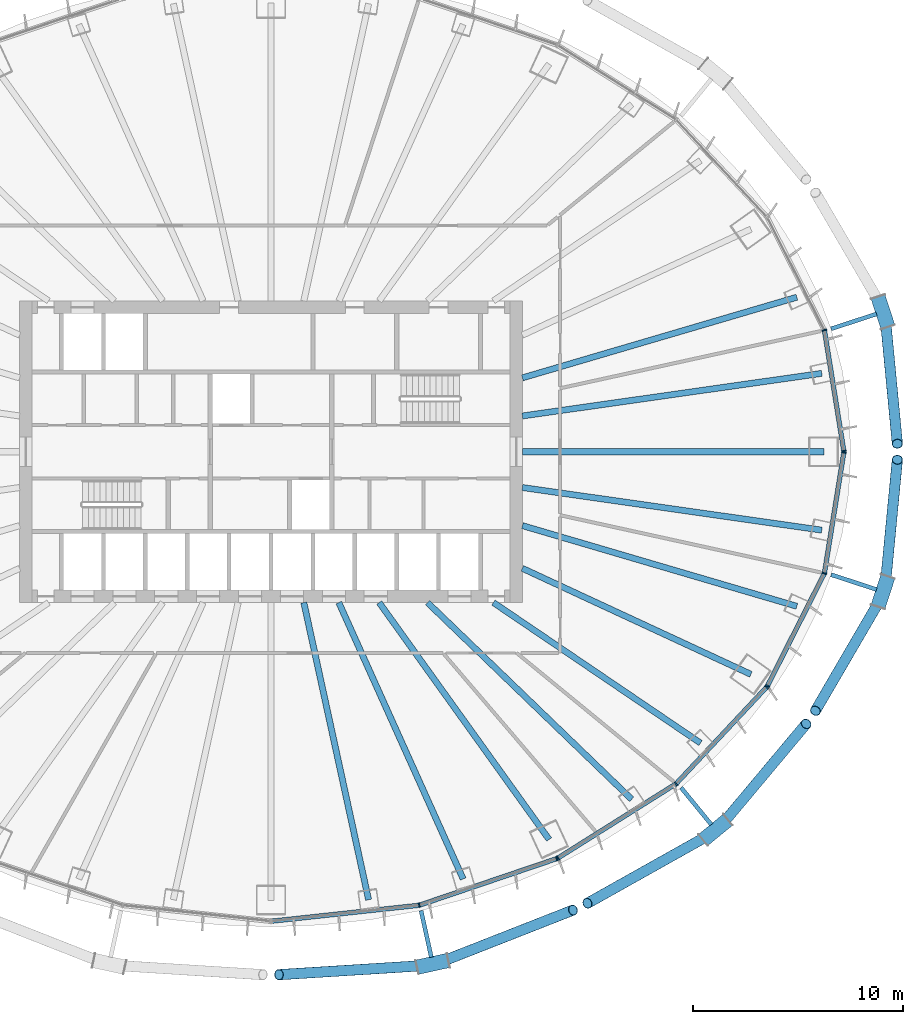
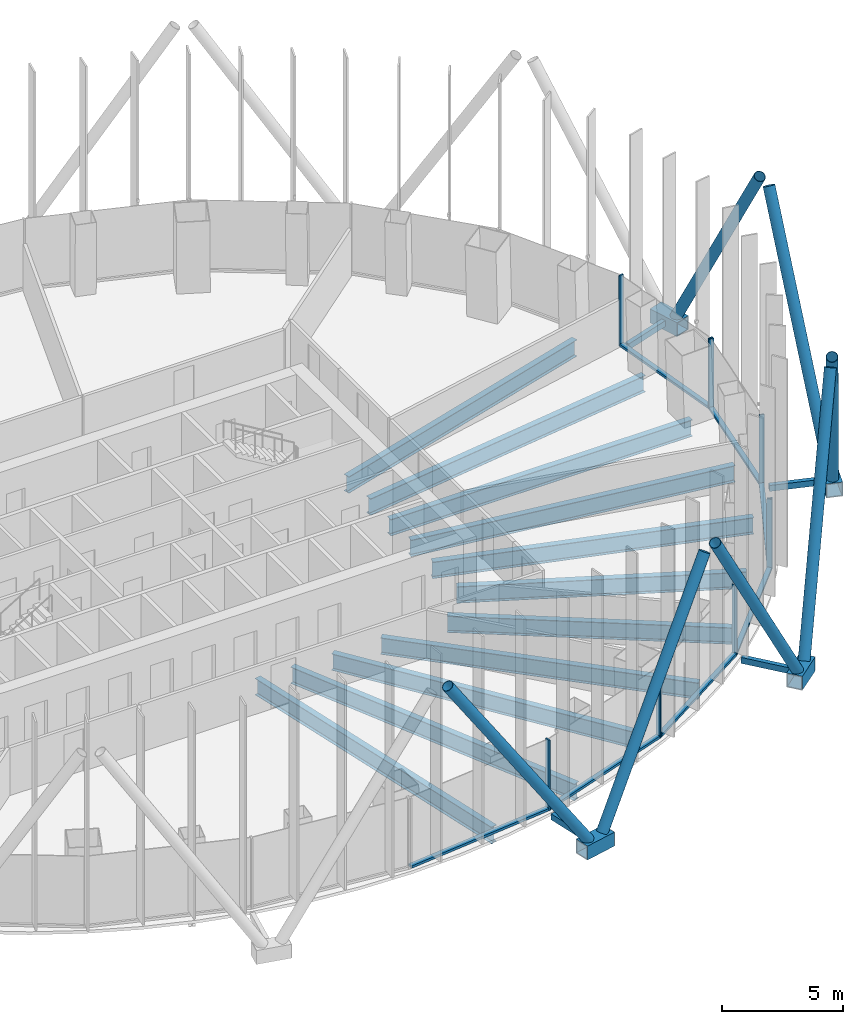
# One storey, part 3 of 19: 32 members, 11 beams, 4 elements without a shape of their own.
"""IFC4 building model written with IfcOpenShell, lengths in metres."""

from ifc_helpers import new_model, si_unit, direction, frame, origin, origin_2d, place, context, subcontext, project, spatial, rectangle, hollow_rectangle, hollow_circle, i_section, extrude, material, layer, layer_set, material_profile, profile_set, type_object, element, aggregate, save


model = new_model("IFC4")

# Units and contexts
model_context = context("Model", 3, precision=1e-05, world=origin(), true_north=direction((0.0, 1.0)))
body_context = subcontext(model_context, "Body", "Model", "MODEL_VIEW")
ifc_project = project(units=[si_unit("LENGTHUNIT", "METRE"), si_unit("AREAUNIT", "SQUARE_METRE"), si_unit("VOLUMEUNIT", "CUBIC_METRE"), si_unit("PLANEANGLEUNIT", "RADIAN"), si_unit("MASSUNIT", "GRAM", prefix="KILO")], contexts=[model_context])

# Site, building, storey
site_placement = place(None, origin())
site = spatial("IfcSite", under=ifc_project, at=site_placement, CompositionType="ELEMENT")
building_placement = place(site_placement, origin())
building = spatial("IfcBuilding", under=site, at=building_placement, Name="Siaravel Broadcast Tower", CompositionType="ELEMENT")
storey_placement = place(building_placement, frame((0.0, 0.0, 59.300048828125)))
storey = spatial("IfcBuildingStorey", under=building, at=storey_placement, Name="L13", CompositionType="ELEMENT", Elevation=59.300048828125)

# Beams
ifc_material_1 = material(Name="Steel S355", Category="steel")
ifc_material_profile_1 = material_profile(ifc_material_1, i_section(OverallWidth=0.291748046875, OverallDepth=0.8349609375, WebThickness=0.013916015625, FlangeThickness=0.018798828125, FilletRadius=0.017822265625, at=origin_2d()))
ifc_profile_set_1 = profile_set([ifc_material_profile_1], Name="Steel S355")
beam_type = type_object("IfcBeamType", Name="BM-UB 838x292x176", PredefinedType="BEAM", material=ifc_profile_set_1)
beam_1_placement = place(storey_placement, frame((26.389892578125, 0.0, -0.567626953125), z_axis=(-1.0, 0.0, 0.0), x_axis=(0.0, -1.0, 0.0)))
element("IfcBeam", 1, at=beam_1_placement, inside=storey, type_object=beam_type, Name="Radial beam RB01", PredefinedType="BEAM", context=body_context, shape_type="SweptSolid", body=[
    extrude(i_section(OverallWidth=0.291748046875, OverallDepth=0.8349609375, WebThickness=0.013916015625, FlangeThickness=0.018798828125, FilletRadius=0.017822265625, at=origin_2d()), origin(), (0.0, 0.0, 1.0), 14.389892578125),
])
beam_2_placement = place(storey_placement, frame((26.2900390625, 3.74169921875, -0.567626953125), z_axis=(-0.990024453, -0.140895642, 0.0), x_axis=(0.140895642, -0.990024453, 0.0)))
element("IfcBeam", 2, at=beam_2_placement, inside=storey, type_object=beam_type, Name="Radial beam RB02", PredefinedType="BEAM", context=body_context, shape_type="SweptSolid", body=[
    extrude(i_section(OverallWidth=0.291748046875, OverallDepth=0.8349609375, WebThickness=0.013916015625, FlangeThickness=0.018798828125, FilletRadius=0.017822265625, at=origin_2d()), origin(), (0.0, 0.0, 1.0), 14.43408203125),
])
beam_3_placement = place(storey_placement, frame((25.100830078125, 7.37646484375, -0.567626953125), z_axis=(-0.959431527, -0.281941741, 0.0), x_axis=(0.281941741, -0.959431527, 0.0)))
element("IfcBeam", 3, at=beam_3_placement, inside=storey, type_object=beam_type, Name="Radial beam RB03", PredefinedType="BEAM", context=body_context, shape_type="SweptSolid", body=[
    extrude(i_section(OverallWidth=0.291748046875, OverallDepth=0.8349609375, WebThickness=0.013916015625, FlangeThickness=0.018798828125, FilletRadius=0.017822265625, at=origin_2d()), origin(), (0.0, 0.0, 1.0), 13.65478515625),
])
beam_4_placement = place(storey_placement, frame((4.6591796875, -21.38330078125, -0.567626953125), z_axis=(-0.212889764, 0.977076224, 0.0), x_axis=(-0.977076224, -0.212889764, 0.0)))
element("IfcBeam", 4, at=beam_4_placement, inside=storey, type_object=beam_type, Name="Radial beam RB29", PredefinedType="BEAM", context=body_context, shape_type="SweptSolid", body=[
    extrude(i_section(OverallWidth=0.291748046875, OverallDepth=0.8349609375, WebThickness=0.013916015625, FlangeThickness=0.018798828125, FilletRadius=0.017822265625, at=origin_2d()), origin(), (0.0, 0.0, 1.0), 14.51611328125),
])
beam_5_placement = place(storey_placement, frame((9.173583984375, -20.392578125, -0.567626953125), z_axis=(-0.410243272, 0.911976128, 0.0), x_axis=(-0.911976128, -0.410243272, 0.0)))
element("IfcBeam", 5, at=beam_5_placement, inside=storey, type_object=beam_type, Name="Radial beam RB30", PredefinedType="BEAM", context=body_context, shape_type="SweptSolid", body=[
    extrude(i_section(OverallWidth=0.291748046875, OverallDepth=0.8349609375, WebThickness=0.013916015625, FlangeThickness=0.018798828125, FilletRadius=0.017822265625, at=origin_2d()), origin(), (0.0, 0.0, 1.0), 14.466064453125),
])
beam_6_placement = place(storey_placement, frame((13.274658203125, -18.506103515625, -0.567626953125), z_axis=(-0.582857003, 0.812574743, 0.0), x_axis=(-0.812574743, -0.582857003, 0.0)))
element("IfcBeam", 6, at=beam_6_placement, inside=storey, type_object=beam_type, Name="Radial beam RB31", PredefinedType="BEAM", context=body_context, shape_type="SweptSolid", body=[
    extrude(i_section(OverallWidth=0.291748046875, OverallDepth=0.8349609375, WebThickness=0.013916015625, FlangeThickness=0.018798828125, FilletRadius=0.017822265625, at=origin_2d()), origin(), (0.0, 0.0, 1.0), 13.9140625),
])
beam_7_placement = place(storey_placement, frame((17.217041015625, -16.590087890625, -0.567626953125), z_axis=(-0.720091822, 0.693878784, 0.0), x_axis=(-0.693878784, -0.720091822, 0.0)))
element("IfcBeam", 7, at=beam_7_placement, inside=storey, type_object=beam_type, Name="Radial beam RB32", PredefinedType="BEAM", context=body_context, shape_type="SweptSolid", body=[
    extrude(i_section(OverallWidth=0.291748046875, OverallDepth=0.8349609375, WebThickness=0.013916015625, FlangeThickness=0.018798828125, FilletRadius=0.017822265625, at=origin_2d()), origin(), (0.0, 0.0, 1.0), 13.53271484375),
])
beam_8_placement = place(storey_placement, frame((20.49951171875, -13.9013671875, -0.567626953125), z_axis=(-0.827642334, 0.561255884, 0.0), x_axis=(-0.561255884, -0.827642334, 0.0)))
element("IfcBeam", 8, at=beam_8_placement, inside=storey, type_object=beam_type, Name="Radial beam RB33", PredefinedType="BEAM", context=body_context, shape_type="SweptSolid", body=[
    extrude(i_section(OverallWidth=0.291748046875, OverallDepth=0.8349609375, WebThickness=0.013916015625, FlangeThickness=0.018798828125, FilletRadius=0.017822265625, at=origin_2d()), origin(), (0.0, 0.0, 1.0), 11.93994140625),
])
beam_9_placement = place(storey_placement, frame((22.90771484375, -10.625, -0.567626953125), z_axis=(-0.907166781, 0.420771234, 0.0), x_axis=(-0.420771234, -0.907166781, 0.0)))
element("IfcBeam", 9, at=beam_9_placement, inside=storey, type_object=beam_type, Name="Radial beam RB34", PredefinedType="BEAM", context=body_context, shape_type="SweptSolid", body=[
    extrude(i_section(OverallWidth=0.291748046875, OverallDepth=0.8349609375, WebThickness=0.013916015625, FlangeThickness=0.018798828125, FilletRadius=0.017822265625, at=origin_2d()), origin(), (0.0, 0.0, 1.0), 12.02392578125),
])
beam_10_placement = place(storey_placement, frame((25.100830078125, -7.37646484375, -0.567626953125), z_axis=(-0.959431527, 0.281941741, 0.0), x_axis=(-0.281941741, -0.959431527, 0.0)))
element("IfcBeam", 10, at=beam_10_placement, inside=storey, type_object=beam_type, Name="Radial beam RB35", PredefinedType="BEAM", context=body_context, shape_type="SweptSolid", body=[
    extrude(i_section(OverallWidth=0.291748046875, OverallDepth=0.8349609375, WebThickness=0.013916015625, FlangeThickness=0.018798828125, FilletRadius=0.017822265625, at=origin_2d()), origin(), (0.0, 0.0, 1.0), 13.65478515625),
])
beam_11_placement = place(storey_placement, frame((26.2900390625, -3.74169921875, -0.567626953125), z_axis=(-0.990024453, 0.140895642, 0.0), x_axis=(-0.140895642, -0.990024453, 0.0)))
element("IfcBeam", 11, at=beam_11_placement, inside=storey, type_object=beam_type, Name="Radial beam RB36", PredefinedType="BEAM", context=body_context, shape_type="SweptSolid", body=[
    extrude(i_section(OverallWidth=0.291748046875, OverallDepth=0.8349609375, WebThickness=0.013916015625, FlangeThickness=0.018798828125, FilletRadius=0.017822265625, at=origin_2d()), origin(), (0.0, 0.0, 1.0), 14.43408203125),
])

# Curtain wall, members
ifc_material_2 = material(Name="Aluminium 6063-T6", Category="aluminium")
ifc_layer = layer(ifc_material_2, 0.219970703125)
ifc_layer_set = layer_set([ifc_layer], Name="Aluminium 6063-T6")
curtain_wall_type = type_object("IfcCurtainWallType", Name="Unitised curtain wall, zone 1", PredefinedType="NOTDEFINED", material=ifc_layer_set)
curtain_wall_1_placement = place(storey_placement, origin())
curtain_wall_1 = element("IfcCurtainWall", 12, at=curtain_wall_1_placement, inside=storey, type_object=curtain_wall_type, Name="L13 Unitised curtain wall, zone 1 01", PredefinedType="NOTDEFINED")
ifc_material_profile_2 = material_profile(ifc_material_2, rectangle(XDim=0.219970703125, YDim=0.070068359375, at=origin_2d()))
ifc_profile_set_2 = profile_set([ifc_material_profile_2], Name="Aluminium 6063-T6")
member_type_1 = type_object("IfcMemberType", Name="CW-Z1 mullion", PredefinedType="MULLION", material=ifc_profile_set_2)
member_1_placement = place(storey_placement, frame((27.34228515625, 0.03466796875, 0.0), z_axis=(0.0, 0.0, 1.0), x_axis=(-0.987329063, -0.158686233, 0.0)))
member_1 = element("IfcMember", 13, at=member_1_placement, type_object=member_type_1, Name="CW-Z1 mullion 1", PredefinedType="MULLION", context=body_context, shape_type="SweptSolid", body=[
    extrude(rectangle(XDim=0.219970703125, YDim=0.070068359375, at=origin_2d()), origin(), (0.0, 0.0, 1.0), 3.550048828125),
])
member_2_placement = place(storey_placement, frame((26.415283203125, 5.802734375, 0.0), z_axis=(0.0, 0.0, 1.0), x_axis=(-0.95117683, -0.30864646, 0.0)))
member_2 = element("IfcMember", 14, at=member_2_placement, type_object=member_type_1, Name="CW-Z1 mullion 2", PredefinedType="MULLION", context=body_context, shape_type="SweptSolid", body=[
    extrude(rectangle(XDim=0.219970703125, YDim=0.070068359375, at=origin_2d()), origin(), (0.0, 0.0, 1.0), 3.550048828125),
])

curtain_wall_2_placement = place(storey_placement, origin())
curtain_wall_2 = element("IfcCurtainWall", 15, at=curtain_wall_2_placement, inside=storey, type_object=curtain_wall_type, Name="L13 Unitised curtain wall, zone 1 10", PredefinedType="NOTDEFINED")
member_3_placement = place(storey_placement, frame((7.075927734375, -21.646728515625, 0.0), z_axis=(0.0, 0.0, 1.0), x_axis=(-0.215557455, 0.976491159, 0.0)))
member_3 = element("IfcMember", 16, at=member_3_placement, type_object=member_type_1, Name="CW-Z1 mullion 2", PredefinedType="MULLION", context=body_context, shape_type="SweptSolid", body=[
    extrude(rectangle(XDim=0.219970703125, YDim=0.070068359375, at=origin_2d()), origin(), (0.0, 0.0, 1.0), 3.550048828125),
])
member_4_placement = place(storey_placement, frame((13.63720703125, -19.420654296875, 0.0), z_axis=(0.0, 0.0, 1.0), x_axis=(-0.321299732, 0.946977551, 0.0)))
member_4 = element("IfcMember", 17, at=member_4_placement, type_object=member_type_1, Name="CW-Z1 mullion 3", PredefinedType="MULLION", context=body_context, shape_type="SweptSolid", body=[
    extrude(rectangle(XDim=0.219970703125, YDim=0.070068359375, at=origin_2d()), origin(), (0.0, 0.0, 1.0), 3.550048828125),
])

curtain_wall_3_placement = place(storey_placement, origin())
curtain_wall_3 = element("IfcCurtainWall", 18, at=curtain_wall_3_placement, inside=storey, type_object=curtain_wall_type, Name="L13 Unitised curtain wall, zone 1 11", PredefinedType="NOTDEFINED")
member_5_placement = place(storey_placement, frame((13.699951171875, -19.390869140625, 0.0), z_axis=(0.0, 0.0, 1.0), x_axis=(-0.532147932, 0.846651392, 0.0)))
member_5 = element("IfcMember", 19, at=member_5_placement, type_object=member_type_1, Name="CW-Z1 mullion 1", PredefinedType="MULLION", context=body_context, shape_type="SweptSolid", body=[
    extrude(rectangle(XDim=0.219970703125, YDim=0.070068359375, at=origin_2d()), origin(), (0.0, 0.0, 1.0), 3.550048828125),
])
member_6_placement = place(storey_placement, frame((19.333984375, -15.849609375, 0.0), z_axis=(0.0, 0.0, 1.0), x_axis=(-0.636217305, 0.77150991, 0.0)))
member_6 = element("IfcMember", 20, at=member_6_placement, type_object=member_type_1, Name="CW-Z1 mullion 2", PredefinedType="MULLION", context=body_context, shape_type="SweptSolid", body=[
    extrude(rectangle(XDim=0.219970703125, YDim=0.070068359375, at=origin_2d()), origin(), (0.0, 0.0, 1.0), 3.550048828125),
])
member_7_placement = place(storey_placement, frame((23.657470703125, -11.234375, 0.0), z_axis=(0.0, 0.0, 1.0), x_axis=(-0.729803931, 0.683656509, 0.0)))
member_7 = element("IfcMember", 21, at=member_7_placement, type_object=member_type_1, Name="CW-Z1 mullion 3", PredefinedType="MULLION", context=body_context, shape_type="SweptSolid", body=[
    extrude(rectangle(XDim=0.219970703125, YDim=0.070068359375, at=origin_2d()), origin(), (0.0, 0.0, 1.0), 3.550048828125),
])

curtain_wall_4_placement = place(storey_placement, origin())
curtain_wall_4 = element("IfcCurtainWall", 22, at=curtain_wall_4_placement, inside=storey, type_object=curtain_wall_type, Name="L13 Unitised curtain wall, zone 1 12", PredefinedType="NOTDEFINED")
member_8_placement = place(storey_placement, frame((23.697265625, -11.177490234375, 0.0), z_axis=(0.0, 0.0, 1.0), x_axis=(-0.892391293, 0.451262428, 0.0)))
member_8 = element("IfcMember", 23, at=member_8_placement, type_object=member_type_1, Name="CW-Z1 mullion 1", PredefinedType="MULLION", context=body_context, shape_type="SweptSolid", body=[
    extrude(rectangle(XDim=0.219970703125, YDim=0.070068359375, at=origin_2d()), origin(), (0.0, 0.0, 1.0), 3.550048828125),
])
member_9_placement = place(storey_placement, frame((26.415283203125, -5.802734375, 0.0), z_axis=(0.0, 0.0, 1.0), x_axis=(-0.95117683, 0.30864646, 0.0)))
member_9 = element("IfcMember", 24, at=member_9_placement, type_object=member_type_1, Name="CW-Z1 mullion 2", PredefinedType="MULLION", context=body_context, shape_type="SweptSolid", body=[
    extrude(rectangle(XDim=0.219970703125, YDim=0.070068359375, at=origin_2d()), origin(), (0.0, 0.0, 1.0), 3.550048828125),
])
member_10_placement = place(storey_placement, frame((27.34228515625, -0.03466796875, 0.0), z_axis=(0.0, 0.0, 1.0), x_axis=(-0.987329063, 0.158686233, 0.0)))
member_10 = element("IfcMember", 25, at=member_10_placement, type_object=member_type_1, Name="CW-Z1 mullion 3", PredefinedType="MULLION", context=body_context, shape_type="SweptSolid", body=[
    extrude(rectangle(XDim=0.219970703125, YDim=0.070068359375, at=origin_2d()), origin(), (0.0, 0.0, 1.0), 3.550048828125),
])

# Member
ifc_material_profile_3 = material_profile(ifc_material_2, rectangle(XDim=0.219970703125, YDim=0.1201171875, at=origin_2d()))
ifc_profile_set_3 = profile_set([ifc_material_profile_3], Name="Aluminium 6063-T6")
member_type_2 = type_object("IfcMemberType", Name="CW-Z1 transom", PredefinedType="USERDEFINED", material=ifc_profile_set_3)
member_11_placement = place(storey_placement, frame((27.336669921875, 0.069091796875, 0.06005859375), z_axis=(-0.158689875, 0.987328478, 0.0), x_axis=(-0.987328478, -0.158689875, 0.0)))
member_11 = element("IfcMember", 26, at=member_11_placement, type_object=member_type_2, Name="CW-Z1 transom 1", ObjectType="TRANSOM", PredefinedType="USERDEFINED", context=body_context, shape_type="SweptSolid", body=[
    extrude(rectangle(XDim=0.219970703125, YDim=0.1201171875, at=origin_2d()), origin(), (0.0, 0.0, 1.0), 5.7724609375),
])

aggregate(curtain_wall_1, [member_1, member_2, member_11])

member_12_placement = place(storey_placement, frame((0.069580078125, -22.40234375, 0.06005859375), z_axis=(0.994236875, 0.10720558, 0.0), x_axis=(-0.10720558, 0.994236875, 0.0)))
member_12 = element("IfcMember", 27, at=member_12_placement, type_object=member_type_2, Name="CW-Z1 transom 1", ObjectType="TRANSOM", PredefinedType="USERDEFINED", context=body_context, shape_type="SweptSolid", body=[
    extrude(rectangle(XDim=0.219970703125, YDim=0.1201171875, at=origin_2d()), origin(), (0.0, 0.0, 1.0), 7.011962890625),
])

member_13_placement = place(storey_placement, frame((7.109130859375, -21.635498046875, 0.06005859375), z_axis=(0.946978894, 0.321295775, 0.0), x_axis=(-0.321295775, 0.946978894, 0.0)))
member_13 = element("IfcMember", 28, at=member_13_placement, type_object=member_type_2, Name="CW-Z1 transom 2", ObjectType="TRANSOM", PredefinedType="USERDEFINED", context=body_context, shape_type="SweptSolid", body=[
    extrude(rectangle(XDim=0.219970703125, YDim=0.1201171875, at=origin_2d()), origin(), (0.0, 0.0, 1.0), 6.8583984375),
])

aggregate(curtain_wall_2, [member_3, member_4, member_12, member_13])

member_14_placement = place(storey_placement, frame((13.7294921875, -19.372314453125, 0.06005859375), z_axis=(0.846643708, 0.532160155, 0.0), x_axis=(-0.532160155, 0.846643708, 0.0)))
member_14 = element("IfcMember", 29, at=member_14_placement, type_object=member_type_2, Name="CW-Z1 transom 1", ObjectType="TRANSOM", PredefinedType="USERDEFINED", context=body_context, shape_type="SweptSolid", body=[
    extrude(rectangle(XDim=0.219970703125, YDim=0.1201171875, at=origin_2d()), origin(), (0.0, 0.0, 1.0), 6.584716796875),
])

member_15_placement = place(storey_placement, frame((19.358154296875, -15.823974609375, 0.06005859375), z_axis=(0.683638503, 0.729820798, 0.0), x_axis=(-0.729820798, 0.683638503, 0.0)))
member_15 = element("IfcMember", 30, at=member_15_placement, type_object=member_type_2, Name="CW-Z1 transom 2", ObjectType="TRANSOM", PredefinedType="USERDEFINED", context=body_context, shape_type="SweptSolid", body=[
    extrude(rectangle(XDim=0.219970703125, YDim=0.1201171875, at=origin_2d()), origin(), (0.0, 0.0, 1.0), 6.25390625),
])

aggregate(curtain_wall_3, [member_5, member_6, member_7, member_14, member_15])

member_16_placement = place(storey_placement, frame((23.712890625, -11.146240234375, 0.06005859375), z_axis=(0.451293706, 0.892375477, 0.0), x_axis=(-0.892375477, 0.451293706, 0.0)))
member_16 = element("IfcMember", 31, at=member_16_placement, type_object=member_type_2, Name="CW-Z1 transom 1", ObjectType="TRANSOM", PredefinedType="USERDEFINED", context=body_context, shape_type="SweptSolid", body=[
    extrude(rectangle(XDim=0.219970703125, YDim=0.1201171875, at=origin_2d()), origin(), (0.0, 0.0, 1.0), 5.952880859375),
])

member_17_placement = place(storey_placement, frame((26.420654296875, -5.768310546875, 0.06005859375), z_axis=(0.158689875, 0.987328478, 0.0), x_axis=(-0.987328478, 0.158689875, 0.0)))
member_17 = element("IfcMember", 32, at=member_17_placement, type_object=member_type_2, Name="CW-Z1 transom 2", ObjectType="TRANSOM", PredefinedType="USERDEFINED", context=body_context, shape_type="SweptSolid", body=[
    extrude(rectangle(XDim=0.219970703125, YDim=0.1201171875, at=origin_2d()), origin(), (0.0, 0.0, 1.0), 5.7724609375),
])

aggregate(curtain_wall_4, [member_8, member_9, member_10, member_16, member_17])

# Members
ifc_material_3 = material(Name="Steel S460", Category="steel")
ifc_material_profile_4 = material_profile(ifc_material_3, hollow_circle(Radius=0.25390625, WallThickness=0.02001953125, at=origin_2d()))
ifc_profile_set_4 = profile_set([ifc_material_profile_4], Name="Steel S460")
member_type_3 = type_object("IfcMemberType", Name="Diagrid diagonal CHS 508x20", PredefinedType="BRACE", material=ifc_profile_set_4)
member_18_placement = place(storey_placement, frame((29.327880859375, 6.31640625, 0.119873046875), z_axis=(0.047324004, -0.493069888, 0.868701631), x_axis=(0.995425664, 0.095539251, 0.0)))
element("IfcMember", 33, at=member_18_placement, inside=storey, type_object=member_type_3, Name="Diagrid diagonal R06 station 03C", PredefinedType="BRACE", context=body_context, shape_type="SweptSolid", body=[
    extrude(hollow_circle(Radius=0.25390625, WallThickness=0.02001953125, at=origin_2d()), origin(), (0.0, 0.0, 1.0), 12.041015625),
])
member_19_placement = place(storey_placement, frame((7.351318359375, -24.522705078125, 0.119873046875), z_axis=(-0.554288775, -0.034763147, 0.831598147), x_axis=(0.06259369, -0.998039092, 0.0)))
element("IfcMember", 34, at=member_19_placement, inside=storey, type_object=member_type_3, Name="Diagrid diagonal R06 station 57C", PredefinedType="BRACE", context=body_context, shape_type="SweptSolid", body=[
    extrude(hollow_circle(Radius=0.25390625, WallThickness=0.02001953125, at=origin_2d()), origin(), (0.0, 0.0, 1.0), 12.578125),
])
member_20_placement = place(storey_placement, frame((8.092529296875, -24.360107421875, 0.119873046875), z_axis=(0.507081443, 0.199078448, 0.838591785), x_axis=(-0.365442263, 0.930834009, 0.0)))
element("IfcMember", 35, at=member_20_placement, inside=storey, type_object=member_type_3, Name="Diagrid diagonal R06 station 57A", PredefinedType="BRACE", context=body_context, shape_type="SweptSolid", body=[
    extrude(hollow_circle(Radius=0.25390625, WallThickness=0.02001953125, at=origin_2d()), origin(), (0.0, 0.0, 1.0), 12.47314453125),
])
member_21_placement = place(storey_placement, frame((20.927978515625, -18.28515625, 0.119873046875), z_axis=(-0.469332409, -0.263280196, 0.842858605), x_axis=(0.489245549, -0.872146085, 0.0)))
element("IfcMember", 36, at=member_21_placement, inside=storey, type_object=member_type_3, Name="Diagrid diagonal R06 station 63C", PredefinedType="BRACE", context=body_context, shape_type="SweptSolid", body=[
    extrude(hollow_circle(Radius=0.25390625, WallThickness=0.02001953125, at=origin_2d()), origin(), (0.0, 0.0, 1.0), 12.41015625),
])
member_22_placement = place(storey_placement, frame((21.51513671875, -17.80419921875, 0.119873046875), z_axis=(0.330464739, 0.394736779, 0.857307373), x_axis=(-0.766769686, 0.641922308, 0.0)))
element("IfcMember", 37, at=member_22_placement, inside=storey, type_object=member_type_3, Name="Diagrid diagonal R06 station 63A", PredefinedType="BRACE", context=body_context, shape_type="SweptSolid", body=[
    extrude(hollow_circle(Radius=0.25390625, WallThickness=0.02001953125, at=origin_2d()), origin(), (0.0, 0.0, 1.0), 12.200927734375),
])
member_23_placement = place(storey_placement, frame((29.091796875, -7.03759765625, 0.119873046875), z_axis=(-0.25587912, -0.438922755, 0.861320319), x_axis=(0.863915209, -0.503637282, 0.0)))
element("IfcMember", 38, at=member_23_placement, inside=storey, type_object=member_type_3, Name="Diagrid diagonal R06 station 69C", PredefinedType="BRACE", context=body_context, shape_type="SweptSolid", body=[
    extrude(hollow_circle(Radius=0.25390625, WallThickness=0.02001953125, at=origin_2d()), origin(), (0.0, 0.0, 1.0), 12.14404296875),
])
member_24_placement = place(storey_placement, frame((29.327880859375, -6.31640625, 0.119873046875), z_axis=(0.047324004, 0.493069888, 0.868701631), x_axis=(-0.995425664, 0.095539251, 0.0)))
element("IfcMember", 39, at=member_24_placement, inside=storey, type_object=member_type_3, Name="Diagrid diagonal R06 station 69A", PredefinedType="BRACE", context=body_context, shape_type="SweptSolid", body=[
    extrude(hollow_circle(Radius=0.25390625, WallThickness=0.02001953125, at=origin_2d()), origin(), (0.0, 0.0, 1.0), 12.041015625),
])
ifc_material_profile_5 = material_profile(ifc_material_3, hollow_rectangle(XDim=0.699951171875, YDim=0.699951171875, WallThickness=0.0400390625, at=origin_2d()))
ifc_profile_set_5 = profile_set([ifc_material_profile_5], Name="Steel S460")
member_type_4 = type_object("IfcMemberType", Name="Diagrid node BOX 700x700x40", PredefinedType="USERDEFINED", material=ifc_profile_set_5)
for number, where, z_axis, x_axis, name in (
    (40, (29.444091796875, 5.9609375, -0.199951171875), (-0.31092464, 0.950434568, 0.0), (-0.950434568, -0.31092464, 0.0), "Diagrid node R06 station 03"),
    (41, (6.986083984375, -24.60302734375, -0.199951171875), (0.976759236, 0.214339438, 0.0), (-0.214339438, 0.976759236, 0.0), "Diagrid node R06 station 57"),
):
    element("IfcMember", number, at=place(storey_placement, frame(where, z_axis=z_axis, x_axis=x_axis)), inside=storey, type_object=member_type_4, Name=name, ObjectType="DIAGRID NODE", PredefinedType="USERDEFINED", context=body_context, shape_type="SweptSolid", body=[
        extrude(hollow_rectangle(XDim=0.699951171875, YDim=0.699951171875, WallThickness=0.0400390625, at=origin_2d()), origin(), (0.0, 0.0, 1.0), 1.5068359375),
    ])
member_25_placement = place(storey_placement, frame((20.638916015625, -18.522216796875, -0.199951171875), z_axis=(0.773560079, 0.633722972, 0.0), x_axis=(-0.633722972, 0.773560079, 0.0)))
element("IfcMember", 42, at=member_25_placement, inside=storey, type_object=member_type_4, Name="Diagrid node R06 station 63", ObjectType="DIAGRID NODE", PredefinedType="USERDEFINED", context=body_context, shape_type="SweptSolid", body=[
    extrude(hollow_rectangle(XDim=0.699951171875, YDim=0.699951171875, WallThickness=0.0400390625, at=origin_2d()), origin(), (0.0, 0.0, 1.0), 1.506591796875),
])
member_26_placement = place(storey_placement, frame((28.9755859375, -7.39306640625, -0.199951171875), z_axis=(0.31092464, 0.950434568, 0.0), x_axis=(-0.950434568, 0.31092464, 0.0)))
element("IfcMember", 43, at=member_26_placement, inside=storey, type_object=member_type_4, Name="Diagrid node R06 station 69", ObjectType="DIAGRID NODE", PredefinedType="USERDEFINED", context=body_context, shape_type="SweptSolid", body=[
    extrude(hollow_rectangle(XDim=0.699951171875, YDim=0.699951171875, WallThickness=0.0400390625, at=origin_2d()), origin(), (0.0, 0.0, 1.0), 1.5068359375),
])
ifc_material_profile_6 = material_profile(ifc_material_3, hollow_rectangle(XDim=0.199951171875, YDim=0.300048828125, WallThickness=0.012451171875, at=origin_2d()))
ifc_profile_set_6 = profile_set([ifc_material_profile_6], Name="Steel S460")
member_type_5 = type_object("IfcMemberType", Name="Diagrid node arm RHS 300x200x12.5", PredefinedType="STRUT", material=ifc_profile_set_6)
member_27_placement = place(storey_placement, frame((26.73876953125, 5.86865234375, -0.199951171875), z_axis=(0.950456392, 0.310857921, 0.0), x_axis=(-0.310857921, 0.950456392, 0.0)))
element("IfcMember", 44, at=member_27_placement, inside=storey, type_object=member_type_5, Name="Node arm R06 station 03", PredefinedType="STRUT", context=body_context, shape_type="SweptSolid", body=[
    extrude(hollow_rectangle(XDim=0.199951171875, YDim=0.300048828125, WallThickness=0.012451171875, at=origin_2d()), origin(), (0.0, 0.0, 1.0), 2.280029296875),
])
for number, where, z_axis, x_axis, name in (
    (45, (7.16455078125, -21.902099609375, -0.199951171875), (0.214389852, -0.976748172, 0.0), (0.976748172, 0.214389852, 0.0), "Node arm R06 station 57"),
    (46, (19.57421875, -16.033447265625, -0.199951171875), (0.633651746, -0.773618423, 0.0), (0.773618423, 0.633651746, 0.0), "Node arm R06 station 63"),
):
    element("IfcMember", number, at=place(storey_placement, frame(where, z_axis=z_axis, x_axis=x_axis)), inside=storey, type_object=member_type_5, Name=name, PredefinedType="STRUT", context=body_context, shape_type="SweptSolid", body=[
        extrude(hollow_rectangle(XDim=0.199951171875, YDim=0.300048828125, WallThickness=0.012451171875, at=origin_2d()), origin(), (0.0, 0.0, 1.0), 2.27978515625),
    ])
member_28_placement = place(storey_placement, frame((26.73876953125, -5.86865234375, -0.199951171875), z_axis=(0.950456392, -0.310857921, 0.0), x_axis=(0.310857921, 0.950456392, 0.0)))
element("IfcMember", 47, at=member_28_placement, inside=storey, type_object=member_type_5, Name="Node arm R06 station 69", PredefinedType="STRUT", context=body_context, shape_type="SweptSolid", body=[
    extrude(hollow_rectangle(XDim=0.199951171875, YDim=0.300048828125, WallThickness=0.012451171875, at=origin_2d()), origin(), (0.0, 0.0, 1.0), 2.280029296875),
])

save(model, "model.ifc")
